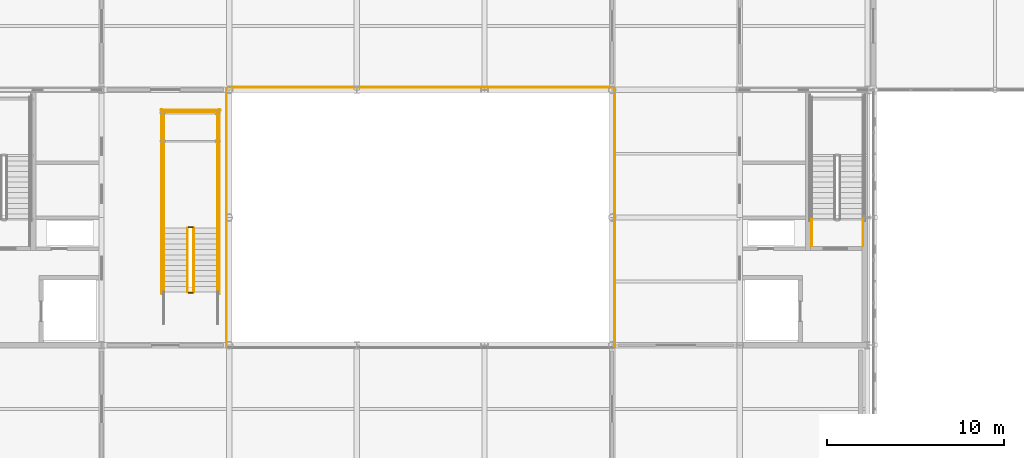
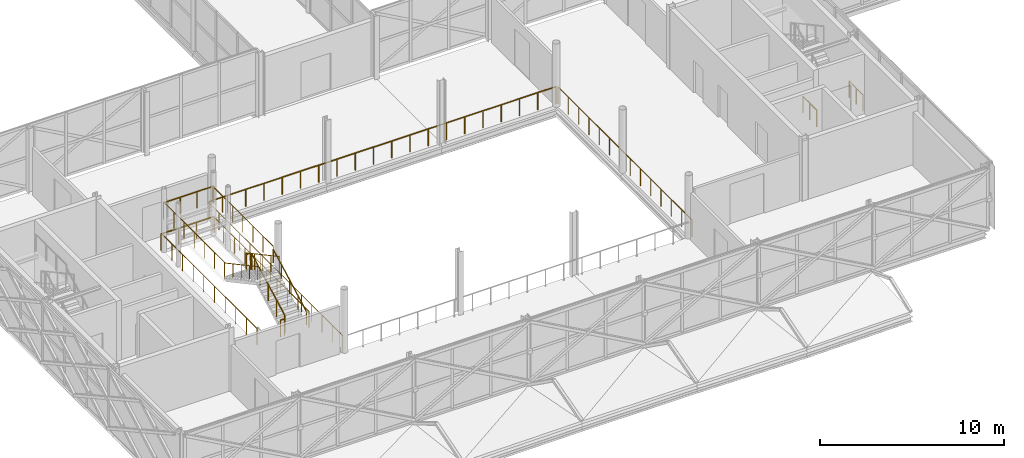
# One storey, part 137 of 146: 17 railings.
"""IFC4 building model written with IfcOpenShell, lengths in metres."""

from ifc_helpers import new_model, si_unit, direction, frame, origin, origin_2d, place, context, subcontext, project, spatial, circle, extrude, material, type_object, element, save


model = new_model("IFC4")

# Units and contexts
model_context = context("Model", 3, precision=1e-05, world=origin(), true_north=direction((0.0, 1.0)))
body_context = subcontext(model_context, "Body", "Model", "MODEL_VIEW")
ifc_project = project(units=[si_unit("LENGTHUNIT", "METRE"), si_unit("AREAUNIT", "SQUARE_METRE"), si_unit("VOLUMEUNIT", "CUBIC_METRE"), si_unit("PLANEANGLEUNIT", "RADIAN"), si_unit("MASSUNIT", "GRAM", prefix="KILO")], contexts=[model_context])

# Site, building, storey
site_placement = place(None, origin())
site = spatial("IfcSite", under=ifc_project, at=site_placement, CompositionType="ELEMENT")
building_placement = place(site_placement, origin())
building = spatial("IfcBuilding", under=site, at=building_placement, Name="Zlatovets Crest Museum", CompositionType="ELEMENT")
storey_placement = place(building_placement, frame((0.0, 0.0, 4.5)))
storey = spatial("IfcBuildingStorey", under=building, at=storey_placement, Name="L01", CompositionType="ELEMENT", Elevation=4.5)

# Railings
ifc_material_1 = material(Name="Art Nouveau bronze and laminated glass atrium balustrade", Category="glass")
railing_type_1 = type_object("IfcRailingType", Name="AtriumGuard_AG01", PredefinedType="BALUSTRADE", material=ifc_material_1)
railing_1_placement = place(storey_placement, frame((70.0, 10.199951171875, 0.16162109375)))
element("IfcRailing", 1, at=railing_1_placement, inside=storey, type_object=railing_type_1, Name="L01 ST6 stair guard 1", PredefinedType="BALUSTRADE", context=body_context, shape_type="SweptSolid", body=[
    extrude(circle(Radius=0.02392578125, at=origin_2d()), frame((0.0, 0.0, 1.076171875), z_axis=(0.0, 0.880474934443, 0.474092701714), x_axis=(-1.0, 0.0, 0.0)), (0.0, 0.0, 1.0), 4.0888671875),
    extrude(circle(Radius=0.02099609375, at=origin_2d()), origin(), (0.0, 0.0, 1.0), 1.052001953125),
    extrude(circle(Radius=0.02099609375, at=origin_2d()), frame((0.0, 0.89990234375, 0.484619140625)), (0.0, 0.0, 1.0), 1.052001953125),
    extrude(circle(Radius=0.02099609375, at=origin_2d()), frame((0.0, 1.800048828125, 0.96923828125)), (0.0, 0.0, 1.0), 1.052001953125),
    extrude(circle(Radius=0.02099609375, at=origin_2d()), frame((0.0, 2.7001953125, 1.453857421875)), (0.0, 0.0, 1.0), 1.052001953125),
    extrude(circle(Radius=0.02099609375, at=origin_2d()), frame((0.0, 3.60009765625, 1.9384765625)), (0.0, 0.0, 1.0), 1.052001953125),
])
railing_2_placement = place(storey_placement, frame((69.949951171875, 13.85009765625, 2.10009765625)))
element("IfcRailing", 2, at=railing_2_placement, inside=storey, type_object=railing_type_1, Name="L01 ST6 stair guard 2", PredefinedType="BALUSTRADE", context=body_context, shape_type="SweptSolid", body=[
    extrude(circle(Radius=0.02392578125, at=origin_2d()), frame((0.0, 0.0, 1.076171875), z_axis=(-1.0, 0.0, 0.0), x_axis=(0.0, -1.0, 0.0)), (0.0, 0.0, 1.0), 0.25),
    extrude(circle(Radius=0.02099609375, at=origin_2d()), origin(), (0.0, 0.0, 1.0), 1.052001953125),
    extrude(circle(Radius=0.02099609375, at=origin_2d()), frame((-0.25, 0.0, 0.0)), (0.0, 0.0, 1.0), 1.052001953125),
])
for number, where, name in (
    (3, (71.35009765625, 13.800048828125, 2.10009765625), "L01 ST6 stair guard 3"),
    (4, (68.300048828125, 13.800048828125, 2.10009765625), "L01 ST6 stair guard 4"),
):
    element("IfcRailing", number, at=place(storey_placement, frame(where)), inside=storey, type_object=railing_type_1, Name=name, PredefinedType="BALUSTRADE", context=body_context, shape_type="SweptSolid", body=[
        extrude(circle(Radius=0.02392578125, at=origin_2d()), frame((0.0, 0.0, 1.076171875), z_axis=(0.0, 1.0, 0.0), x_axis=(-1.0, 0.0, 0.0)), (0.0, 0.0, 1.0), 6.599853515625),
        extrude(circle(Radius=0.02099609375, at=origin_2d()), origin(), (0.0, 0.0, 1.0), 1.052001953125),
        extrude(circle(Radius=0.02099609375, at=origin_2d()), frame((0.0, 1.10009765625, 0.0)), (0.0, 0.0, 1.0), 1.052001953125),
        extrude(circle(Radius=0.02099609375, at=origin_2d()), frame((0.0, 2.199951171875, 0.0)), (0.0, 0.0, 1.0), 1.052001953125),
        extrude(circle(Radius=0.02099609375, at=origin_2d()), frame((0.0, 3.2998046875, 0.0)), (0.0, 0.0, 1.0), 1.052001953125),
        extrude(circle(Radius=0.02099609375, at=origin_2d()), frame((0.0, 4.39990234375, 0.0)), (0.0, 0.0, 1.0), 1.052001953125),
        extrude(circle(Radius=0.02099609375, at=origin_2d()), frame((0.0, 5.5, 0.0)), (0.0, 0.0, 1.0), 1.052001953125),
        extrude(circle(Radius=0.02099609375, at=origin_2d()), frame((0.0, 6.599853515625, 0.0)), (0.0, 0.0, 1.0), 1.052001953125),
    ])
railing_3_placement = place(storey_placement, frame((71.39990234375, 20.35009765625, 2.10009765625)))
element("IfcRailing", 5, at=railing_3_placement, inside=storey, type_object=railing_type_1, Name="L01 ST6 stair guard 5", PredefinedType="BALUSTRADE", context=body_context, shape_type="SweptSolid", body=[
    extrude(circle(Radius=0.02392578125, at=origin_2d()), frame((0.0, 0.0, 1.076171875), z_axis=(-1.0, 0.0, 0.0), x_axis=(0.0, -1.0, 0.0)), (0.0, 0.0, 1.0), 3.14990234375),
    extrude(circle(Radius=0.02099609375, at=origin_2d()), origin(), (0.0, 0.0, 1.0), 1.052001953125),
    extrude(circle(Radius=0.02099609375, at=origin_2d()), frame((-1.050048828125, 0.0, 0.0)), (0.0, 0.0, 1.0), 1.052001953125),
    extrude(circle(Radius=0.02099609375, at=origin_2d()), frame((-2.099853515625, 0.0, 0.0)), (0.0, 0.0, 1.0), 1.052001953125),
    extrude(circle(Radius=0.02099609375, at=origin_2d()), frame((-3.14990234375, 0.0, 0.0)), (0.0, 0.0, 1.0), 1.052001953125),
])
railing_4_placement = place(storey_placement, frame((69.64990234375, 13.800048828125, 2.261474609375)))
element("IfcRailing", 6, at=railing_4_placement, inside=storey, type_object=railing_type_1, Name="L01 ST6 stair guard 6", PredefinedType="BALUSTRADE", context=body_context, shape_type="SweptSolid", body=[
    extrude(circle(Radius=0.02392578125, at=origin_2d()), frame((0.0, 0.0, 1.076171875), z_axis=(0.0, -0.880474934443, 0.474092701714), x_axis=(1.0, 0.0, 0.0)), (0.0, 0.0, 1.0), 4.0888671875),
    extrude(circle(Radius=0.02099609375, at=origin_2d()), origin(), (0.0, 0.0, 1.0), 1.052001953125),
    extrude(circle(Radius=0.02099609375, at=origin_2d()), frame((0.0, -0.89990234375, 0.484619140625)), (0.0, 0.0, 1.0), 1.052001953125),
    extrude(circle(Radius=0.02099609375, at=origin_2d()), frame((0.0, -1.800048828125, 0.96923828125)), (0.0, 0.0, 1.0), 1.052001953125),
    extrude(circle(Radius=0.02099609375, at=origin_2d()), frame((0.0, -2.7001953125, 1.453857421875)), (0.0, 0.0, 1.0), 1.052001953125),
    extrude(circle(Radius=0.02099609375, at=origin_2d()), frame((0.0, -3.60009765625, 1.9384765625)), (0.0, 0.0, 1.0), 1.052001953125),
])
railing_5_placement = place(storey_placement, frame((69.949951171875, 10.14990234375, 0.0)))
element("IfcRailing", 7, at=railing_5_placement, inside=storey, type_object=railing_type_1, Name="L01 ST6 stair guard 7", PredefinedType="BALUSTRADE", context=body_context, shape_type="SweptSolid", body=[
    extrude(circle(Radius=0.02392578125, at=origin_2d()), frame((0.0, 0.0, 1.076171875), z_axis=(-1.0, 0.0, 0.0), x_axis=(0.0, -1.0, 0.0)), (0.0, 0.0, 1.0), 0.25),
    extrude(circle(Radius=0.02099609375, at=origin_2d()), origin(), (0.0, 0.0, 1.0), 1.052001953125),
    extrude(circle(Radius=0.02099609375, at=origin_2d()), frame((-0.25, 0.0, 0.0)), (0.0, 0.0, 1.0), 1.052001953125),
])
for number, where, name in (
    (8, (71.449951171875, 10.10009765625, 0.0), "L01 ST6 stair guard 10"),
    (9, (68.199951171875, 10.10009765625, 0.0), "L01 ST6 stair guard 11"),
):
    element("IfcRailing", number, at=place(storey_placement, frame(where)), inside=storey, type_object=railing_type_1, Name=name, PredefinedType="BALUSTRADE", context=body_context, shape_type="SweptSolid", body=[
        extrude(circle(Radius=0.02392578125, at=origin_2d()), frame((0.0, 0.0, 1.076171875), z_axis=(0.0, 1.0, 0.0), x_axis=(-1.0, 0.0, 0.0)), (0.0, 0.0, 1.0), 10.39990234375),
        extrude(circle(Radius=0.02099609375, at=origin_2d()), origin(), (0.0, 0.0, 1.0), 1.052001953125),
        extrude(circle(Radius=0.02099609375, at=origin_2d()), frame((0.0, 1.155517578125, 0.0)), (0.0, 0.0, 1.0), 1.052001953125),
        extrude(circle(Radius=0.02099609375, at=origin_2d()), frame((0.0, 2.31103515625, 0.0)), (0.0, 0.0, 1.0), 1.052001953125),
        extrude(circle(Radius=0.02099609375, at=origin_2d()), frame((0.0, 3.466552734375, 0.0)), (0.0, 0.0, 1.0), 1.052001953125),
        extrude(circle(Radius=0.02099609375, at=origin_2d()), frame((0.0, 4.6220703125, 0.0)), (0.0, 0.0, 1.0), 1.052001953125),
        extrude(circle(Radius=0.02099609375, at=origin_2d()), frame((0.0, 5.77783203125, 0.0)), (0.0, 0.0, 1.0), 1.052001953125),
        extrude(circle(Radius=0.02099609375, at=origin_2d()), frame((0.0, 6.933349609375, 0.0)), (0.0, 0.0, 1.0), 1.052001953125),
        extrude(circle(Radius=0.02099609375, at=origin_2d()), frame((0.0, 8.0888671875, 0.0)), (0.0, 0.0, 1.0), 1.052001953125),
        extrude(circle(Radius=0.02099609375, at=origin_2d()), frame((0.0, 9.244384765625, 0.0)), (0.0, 0.0, 1.0), 1.052001953125),
        extrude(circle(Radius=0.02099609375, at=origin_2d()), frame((0.0, 10.39990234375, 0.0)), (0.0, 0.0, 1.0), 1.052001953125),
    ])
railing_6_placement = place(storey_placement, frame((71.5, 20.449951171875, 0.0)))
element("IfcRailing", 10, at=railing_6_placement, inside=storey, type_object=railing_type_1, Name="L01 ST6 stair guard 12", PredefinedType="BALUSTRADE", context=body_context, shape_type="SweptSolid", body=[
    extrude(circle(Radius=0.02392578125, at=origin_2d()), frame((0.0, 0.0, 1.076171875), z_axis=(-1.0, 0.0, 0.0), x_axis=(0.0, -1.0, 0.0)), (0.0, 0.0, 1.0), 3.35009765625),
    extrude(circle(Radius=0.02099609375, at=origin_2d()), origin(), (0.0, 0.0, 1.0), 1.052001953125),
    extrude(circle(Radius=0.02099609375, at=origin_2d()), frame((-1.11669921875, 0.0, 0.0)), (0.0, 0.0, 1.0), 1.052001953125),
    extrude(circle(Radius=0.02099609375, at=origin_2d()), frame((-2.2333984375, 0.0, 0.0)), (0.0, 0.0, 1.0), 1.052001953125),
    extrude(circle(Radius=0.02099609375, at=origin_2d()), frame((-3.35009765625, 0.0, 0.0)), (0.0, 0.0, 1.0), 1.052001953125),
])
railing_7_placement = place(storey_placement, frame((93.75, 7.1298828125, 0.0)))
element("IfcRailing", 11, at=railing_7_placement, inside=storey, type_object=railing_type_1, Name="Atrium Void Balustrade L01 E", PredefinedType="BALUSTRADE", context=body_context, shape_type="SweptSolid", body=[
    extrude(circle(Radius=0.02392578125, at=origin_2d()), frame((0.0, 0.0, 1.1259765625), z_axis=(0.0, 1.0, 0.0), x_axis=(-1.0, 0.0, 0.0)), (0.0, 0.0, 1.0), 14.5400390625),
    extrude(circle(Radius=0.02099609375, at=origin_2d()), origin(), (0.0, 0.0, 1.0), 1.101806640625),
    extrude(circle(Radius=0.02099609375, at=origin_2d()), frame((0.0, 1.118408203125, 0.0)), (0.0, 0.0, 1.0), 1.101806640625),
    extrude(circle(Radius=0.02099609375, at=origin_2d()), frame((0.0, 2.23681640625, 0.0)), (0.0, 0.0, 1.0), 1.101806640625),
    extrude(circle(Radius=0.02099609375, at=origin_2d()), frame((0.0, 3.35546875, 0.0)), (0.0, 0.0, 1.0), 1.101806640625),
    extrude(circle(Radius=0.02099609375, at=origin_2d()), frame((0.0, 4.473876953125, 0.0)), (0.0, 0.0, 1.0), 1.101806640625),
    extrude(circle(Radius=0.02099609375, at=origin_2d()), frame((0.0, 5.59228515625, 0.0)), (0.0, 0.0, 1.0), 1.101806640625),
    extrude(circle(Radius=0.02099609375, at=origin_2d()), frame((0.0, 6.710693359375, 0.0)), (0.0, 0.0, 1.0), 1.101806640625),
    extrude(circle(Radius=0.02099609375, at=origin_2d()), frame((0.0, 7.829345703125, 0.0)), (0.0, 0.0, 1.0), 1.101806640625),
    extrude(circle(Radius=0.02099609375, at=origin_2d()), frame((0.0, 8.94775390625, 0.0)), (0.0, 0.0, 1.0), 1.101806640625),
    extrude(circle(Radius=0.02099609375, at=origin_2d()), frame((0.0, 10.066162109375, 0.0)), (0.0, 0.0, 1.0), 1.101806640625),
    extrude(circle(Radius=0.02099609375, at=origin_2d()), frame((0.0, 11.1845703125, 0.0)), (0.0, 0.0, 1.0), 1.101806640625),
    extrude(circle(Radius=0.02099609375, at=origin_2d()), frame((0.0, 12.30322265625, 0.0)), (0.0, 0.0, 1.0), 1.101806640625),
    extrude(circle(Radius=0.02099609375, at=origin_2d()), frame((0.0, 13.421630859375, 0.0)), (0.0, 0.0, 1.0), 1.101806640625),
    extrude(circle(Radius=0.02099609375, at=origin_2d()), frame((0.0, 14.5400390625, 0.0)), (0.0, 0.0, 1.0), 1.101806640625),
])
railing_8_placement = place(storey_placement, frame((93.669921875, 21.75, 0.0)))
element("IfcRailing", 12, at=railing_8_placement, inside=storey, type_object=railing_type_1, Name="Atrium Void Balustrade L01 N", PredefinedType="BALUSTRADE", context=body_context, shape_type="SweptSolid", body=[
    extrude(circle(Radius=0.02392578125, at=origin_2d()), frame((0.0, 0.0, 1.1259765625), z_axis=(-1.0, 0.0, 0.0), x_axis=(0.0, -1.0, 0.0)), (0.0, 0.0, 1.0), 21.739990234375),
    extrude(circle(Radius=0.02099609375, at=origin_2d()), origin(), (0.0, 0.0, 1.0), 1.101806640625),
    extrude(circle(Radius=0.02099609375, at=origin_2d()), frame((-1.144287109375, 0.0, 0.0)), (0.0, 0.0, 1.0), 1.101806640625),
    extrude(circle(Radius=0.02099609375, at=origin_2d()), frame((-2.288330078125, 0.0, 0.0)), (0.0, 0.0, 1.0), 1.101806640625),
    extrude(circle(Radius=0.02099609375, at=origin_2d()), frame((-3.4326171875, 0.0, 0.0)), (0.0, 0.0, 1.0), 1.101806640625),
    extrude(circle(Radius=0.02099609375, at=origin_2d()), frame((-4.576904296875, 0.0, 0.0)), (0.0, 0.0, 1.0), 1.101806640625),
    extrude(circle(Radius=0.02099609375, at=origin_2d()), frame((-5.720947265625, 0.0, 0.0)), (0.0, 0.0, 1.0), 1.101806640625),
    extrude(circle(Radius=0.02099609375, at=origin_2d()), frame((-6.865234375, 0.0, 0.0)), (0.0, 0.0, 1.0), 1.101806640625),
    extrude(circle(Radius=0.02099609375, at=origin_2d()), frame((-8.009521484375, 0.0, 0.0)), (0.0, 0.0, 1.0), 1.101806640625),
    extrude(circle(Radius=0.02099609375, at=origin_2d()), frame((-9.153564453125, 0.0, 0.0)), (0.0, 0.0, 1.0), 1.101806640625),
    extrude(circle(Radius=0.02099609375, at=origin_2d()), frame((-10.2978515625, 0.0, 0.0)), (0.0, 0.0, 1.0), 1.101806640625),
    extrude(circle(Radius=0.02099609375, at=origin_2d()), frame((-11.442138671875, 0.0, 0.0)), (0.0, 0.0, 1.0), 1.101806640625),
    extrude(circle(Radius=0.02099609375, at=origin_2d()), frame((-12.58642578125, 0.0, 0.0)), (0.0, 0.0, 1.0), 1.101806640625),
    extrude(circle(Radius=0.02099609375, at=origin_2d()), frame((-13.73046875, 0.0, 0.0)), (0.0, 0.0, 1.0), 1.101806640625),
    extrude(circle(Radius=0.02099609375, at=origin_2d()), frame((-14.874755859375, 0.0, 0.0)), (0.0, 0.0, 1.0), 1.101806640625),
    extrude(circle(Radius=0.02099609375, at=origin_2d()), frame((-16.01904296875, 0.0, 0.0)), (0.0, 0.0, 1.0), 1.101806640625),
    extrude(circle(Radius=0.02099609375, at=origin_2d()), frame((-17.1630859375, 0.0, 0.0)), (0.0, 0.0, 1.0), 1.101806640625),
    extrude(circle(Radius=0.02099609375, at=origin_2d()), frame((-18.307373046875, 0.0, 0.0)), (0.0, 0.0, 1.0), 1.101806640625),
    extrude(circle(Radius=0.02099609375, at=origin_2d()), frame((-19.45166015625, 0.0, 0.0)), (0.0, 0.0, 1.0), 1.101806640625),
    extrude(circle(Radius=0.02099609375, at=origin_2d()), frame((-20.595703125, 0.0, 0.0)), (0.0, 0.0, 1.0), 1.101806640625),
    extrude(circle(Radius=0.02099609375, at=origin_2d()), frame((-21.739990234375, 0.0, 0.0)), (0.0, 0.0, 1.0), 1.101806640625),
])
railing_9_placement = place(storey_placement, frame((71.85009765625, 21.669921875, 0.0)))
element("IfcRailing", 13, at=railing_9_placement, inside=storey, type_object=railing_type_1, Name="Atrium Void Balustrade L01 W", PredefinedType="BALUSTRADE", context=body_context, shape_type="SweptSolid", body=[
    extrude(circle(Radius=0.02392578125, at=origin_2d()), frame((0.0, 0.0, 1.1259765625), z_axis=(0.0, -1.0, 0.0), x_axis=(1.0, 0.0, 0.0)), (0.0, 0.0, 1.0), 14.5400390625),
    extrude(circle(Radius=0.02099609375, at=origin_2d()), origin(), (0.0, 0.0, 1.0), 1.101806640625),
    extrude(circle(Radius=0.02099609375, at=origin_2d()), frame((0.0, -1.118408203125, 0.0)), (0.0, 0.0, 1.0), 1.101806640625),
    extrude(circle(Radius=0.02099609375, at=origin_2d()), frame((0.0, -2.23681640625, 0.0)), (0.0, 0.0, 1.0), 1.101806640625),
    extrude(circle(Radius=0.02099609375, at=origin_2d()), frame((0.0, -3.35546875, 0.0)), (0.0, 0.0, 1.0), 1.101806640625),
    extrude(circle(Radius=0.02099609375, at=origin_2d()), frame((0.0, -4.473876953125, 0.0)), (0.0, 0.0, 1.0), 1.101806640625),
    extrude(circle(Radius=0.02099609375, at=origin_2d()), frame((0.0, -5.59228515625, 0.0)), (0.0, 0.0, 1.0), 1.101806640625),
    extrude(circle(Radius=0.02099609375, at=origin_2d()), frame((0.0, -6.710693359375, 0.0)), (0.0, 0.0, 1.0), 1.101806640625),
    extrude(circle(Radius=0.02099609375, at=origin_2d()), frame((0.0, -7.829345703125, 0.0)), (0.0, 0.0, 1.0), 1.101806640625),
    extrude(circle(Radius=0.02099609375, at=origin_2d()), frame((0.0, -8.94775390625, 0.0)), (0.0, 0.0, 1.0), 1.101806640625),
    extrude(circle(Radius=0.02099609375, at=origin_2d()), frame((0.0, -10.066162109375, 0.0)), (0.0, 0.0, 1.0), 1.101806640625),
    extrude(circle(Radius=0.02099609375, at=origin_2d()), frame((0.0, -11.1845703125, 0.0)), (0.0, 0.0, 1.0), 1.101806640625),
    extrude(circle(Radius=0.02099609375, at=origin_2d()), frame((0.0, -12.30322265625, 0.0)), (0.0, 0.0, 1.0), 1.101806640625),
    extrude(circle(Radius=0.02099609375, at=origin_2d()), frame((0.0, -13.421630859375, 0.0)), (0.0, 0.0, 1.0), 1.101806640625),
    extrude(circle(Radius=0.02099609375, at=origin_2d()), frame((0.0, -14.5400390625, 0.0)), (0.0, 0.0, 1.0), 1.101806640625),
])
ifc_material_2 = material(Name="Painted steel safety guardrail", Category="steel")
railing_type_2 = type_object("IfcRailingType", Name="StairGuard_SG01", PredefinedType="GUARDRAIL", material=ifc_material_2)
for number, where, name in (
    (14, (107.75, 12.800048828125, 0.0), "L01 ST9 stair guard 7"),
    (15, (104.85009765625, 12.800048828125, 0.0), "L01 ST9 stair guard 8"),
):
    element("IfcRailing", number, at=place(storey_placement, frame(where)), inside=storey, type_object=railing_type_2, Name=name, PredefinedType="GUARDRAIL", context=body_context, shape_type="SweptSolid", body=[
        extrude(circle(Radius=0.02392578125, at=origin_2d()), frame((0.0, 0.0, 1.076171875), z_axis=(0.0, 1.0, 0.0), x_axis=(-1.0, 0.0, 0.0)), (0.0, 0.0, 1.0), 1.5),
        extrude(circle(Radius=0.02099609375, at=origin_2d()), origin(), (0.0, 0.0, 1.0), 1.052001953125),
        extrude(circle(Radius=0.02099609375, at=origin_2d()), frame((0.0, 0.75, 0.0)), (0.0, 0.0, 1.0), 1.052001953125),
        extrude(circle(Radius=0.02099609375, at=origin_2d()), frame((0.0, 1.5, 0.0)), (0.0, 0.0, 1.0), 1.052001953125),
    ])
ifc_material_3 = material(Name="Brushed bronze stair handrail")
railing_type_3 = type_object("IfcRailingType", Name="StairHandrail_SH01", PredefinedType="HANDRAIL", material=ifc_material_3)
railing_10_placement = place(storey_placement, frame((71.35009765625, 10.199951171875, 0.16162109375)))
element("IfcRailing", 16, at=railing_10_placement, inside=storey, type_object=railing_type_3, Name="L01 ST6 stair handrail 1", PredefinedType="HANDRAIL", context=body_context, shape_type="SweptSolid", body=[
    extrude(circle(Radius=0.02392578125, at=origin_2d()), frame((0.0, 0.0, 0.8759765625), z_axis=(0.0, 0.880474934443, 0.474092701714), x_axis=(-1.0, 0.0, 0.0)), (0.0, 0.0, 1.0), 4.0888671875),
    extrude(circle(Radius=0.02099609375, at=origin_2d()), origin(), (0.0, 0.0, 1.0), 0.851806640625),
    extrude(circle(Radius=0.02099609375, at=origin_2d()), frame((0.0, 0.89990234375, 0.484619140625)), (0.0, 0.0, 1.0), 0.851806640625),
    extrude(circle(Radius=0.02099609375, at=origin_2d()), frame((0.0, 1.800048828125, 0.96923828125)), (0.0, 0.0, 1.0), 0.851806640625),
    extrude(circle(Radius=0.02099609375, at=origin_2d()), frame((0.0, 2.7001953125, 1.453857421875)), (0.0, 0.0, 1.0), 0.851806640625),
    extrude(circle(Radius=0.02099609375, at=origin_2d()), frame((0.0, 3.60009765625, 1.9384765625)), (0.0, 0.0, 1.0), 0.851806640625),
])
railing_11_placement = place(storey_placement, frame((68.300048828125, 13.800048828125, 2.261474609375)))
element("IfcRailing", 17, at=railing_11_placement, inside=storey, type_object=railing_type_3, Name="L01 ST6 stair handrail 2", PredefinedType="HANDRAIL", context=body_context, shape_type="SweptSolid", body=[
    extrude(circle(Radius=0.02392578125, at=origin_2d()), frame((0.0, 0.0, 0.8759765625), z_axis=(0.0, -0.880474934443, 0.474092701714), x_axis=(1.0, 0.0, 0.0)), (0.0, 0.0, 1.0), 4.0888671875),
    extrude(circle(Radius=0.02099609375, at=origin_2d()), origin(), (0.0, 0.0, 1.0), 0.851806640625),
    extrude(circle(Radius=0.02099609375, at=origin_2d()), frame((0.0, -0.89990234375, 0.484619140625)), (0.0, 0.0, 1.0), 0.851806640625),
    extrude(circle(Radius=0.02099609375, at=origin_2d()), frame((0.0, -1.800048828125, 0.96923828125)), (0.0, 0.0, 1.0), 0.851806640625),
    extrude(circle(Radius=0.02099609375, at=origin_2d()), frame((0.0, -2.7001953125, 1.453857421875)), (0.0, 0.0, 1.0), 0.851806640625),
    extrude(circle(Radius=0.02099609375, at=origin_2d()), frame((0.0, -3.60009765625, 1.9384765625)), (0.0, 0.0, 1.0), 0.851806640625),
])

save(model, "model.ifc")
